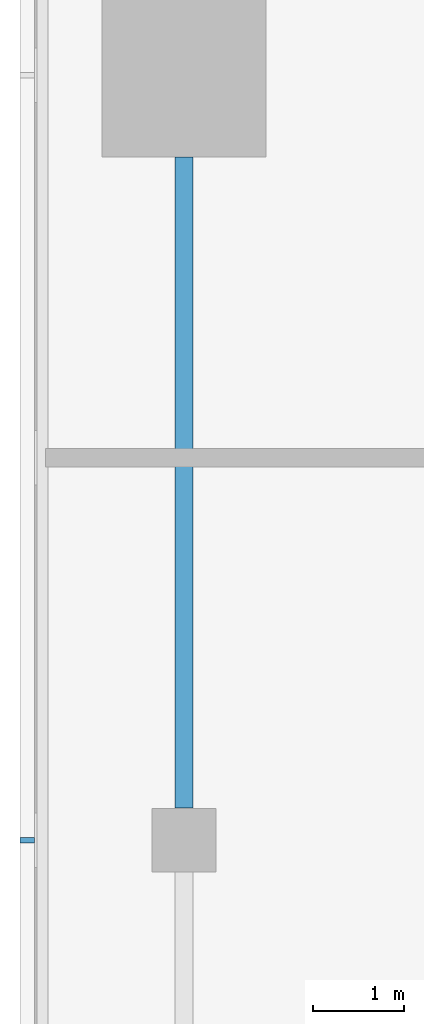
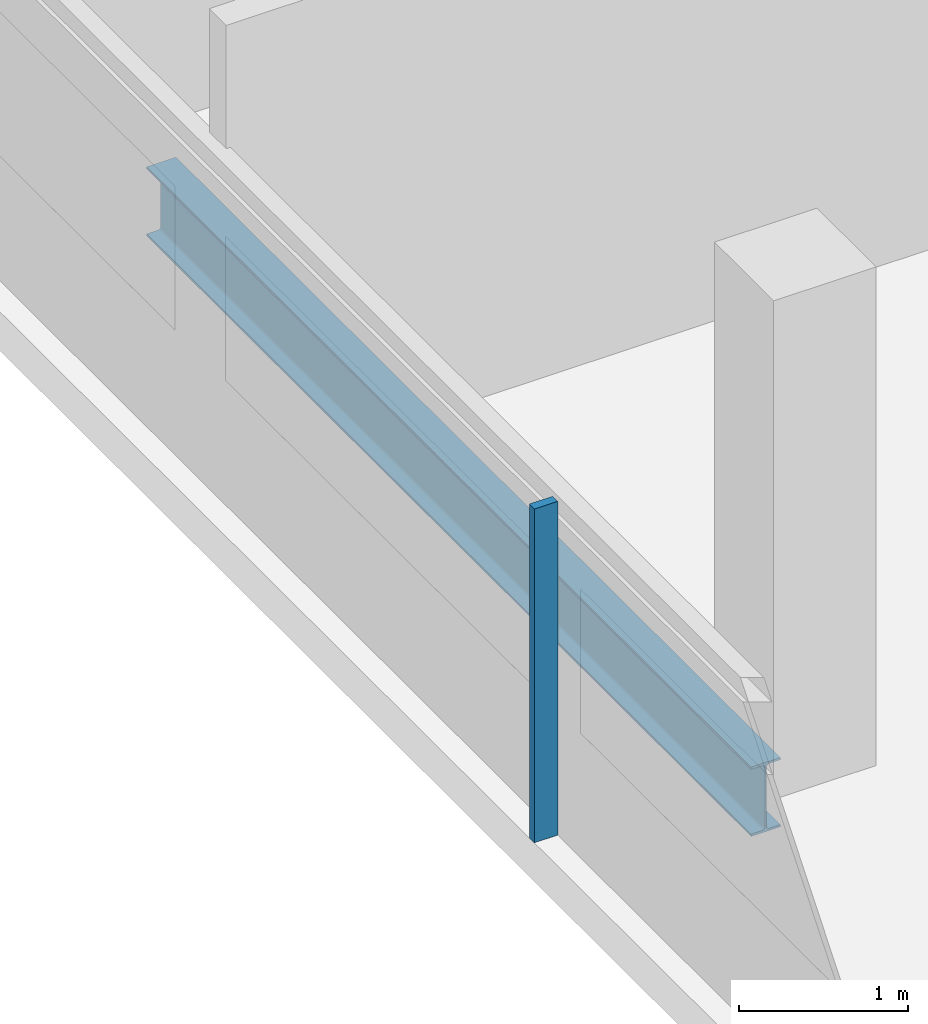
# One storey, part 6 of 24: 1 beam, 1 member, 1 element without a shape of its own.
"""IFC4 building model written with IfcOpenShell, lengths in metres."""

from ifc_helpers import new_model, si_unit, direction, frame, origin, origin_2d, place, context, subcontext, project, spatial, rectangle, i_section, extrude, material, material_profile, profile_set, type_object, element, aggregate, save


model = new_model("IFC4")

# Units and contexts
model_context = context("Model", 3, precision=1e-05, world=origin(), true_north=direction((0.0, 1.0)))
body_context = subcontext(model_context, "Body", "Model", "MODEL_VIEW")
ifc_project = project(units=[si_unit("LENGTHUNIT", "METRE"), si_unit("AREAUNIT", "SQUARE_METRE"), si_unit("VOLUMEUNIT", "CUBIC_METRE"), si_unit("PLANEANGLEUNIT", "RADIAN"), si_unit("MASSUNIT", "GRAM", prefix="KILO")], contexts=[model_context])

# Site, building, storey
site_placement = place(None, origin())
site = spatial("IfcSite", under=ifc_project, at=site_placement, CompositionType="ELEMENT")
building_placement = place(site_placement, origin())
building = spatial("IfcBuilding", under=site, at=building_placement, Name="Saffron Gate Tower", CompositionType="ELEMENT")
storey_placement = place(building_placement, frame((0.0, 0.0, 190.64990234375)))
storey = spatial("IfcBuildingStorey", under=building, at=storey_placement, Name="L47", CompositionType="ELEMENT", Elevation=190.64990234375)

# Beam
ifc_material_1 = material(Name="Structural steel S355", Category="steel")
ifc_material_profile_1 = material_profile(ifc_material_1, i_section(OverallWidth=0.199951171875, OverallDepth=0.5, WebThickness=0.01025390625, FlangeThickness=0.01611328125, FilletRadius=0.02099609375, at=origin_2d()))
ifc_profile_set_1 = profile_set([ifc_material_profile_1], Name="Structural steel S355")
beam_type = type_object("IfcBeamType", Name="B11 IPE 500", PredefinedType="SPANDREL", material=ifc_profile_set_1)
beam_placement = place(storey_placement, frame((49.800048828125, 57.35009765625, -0.52978515625), z_axis=(0.0, 1.0, 0.0), x_axis=(-1.0, 0.0, 0.0)))
element("IfcBeam", 1, at=beam_placement, inside=storey, type_object=beam_type, Name="B11 SPANDREL BEAM", PredefinedType="SPANDREL", context=body_context, shape_type="SweptSolid", body=[
    extrude(i_section(OverallWidth=0.199951171875, OverallDepth=0.5, WebThickness=0.01025390625, FlangeThickness=0.01611328125, FilletRadius=0.02099609375, at=origin_2d()), origin(), (0.0, 0.0, 1.0), 7.14990234375),
])

# Curtain wall, member
ifc_material_2 = material(Name="Aluminium, bronze anodised", Category="aluminium")
curtain_wall_type = type_object("IfcCurtainWallType", Name="CWS2 curtain wall side facades", PredefinedType="NOTDEFINED", material=ifc_material_2)
curtain_wall_placement = place(storey_placement, origin())
curtain_wall = element("IfcCurtainWall", 2, at=curtain_wall_placement, inside=storey, type_object=curtain_wall_type, Name="CWS2 run 10", PredefinedType="NOTDEFINED")
ifc_material_profile_2 = material_profile(ifc_material_2, rectangle(XDim=0.159912109375, YDim=0.06005859375, at=origin_2d()))
ifc_profile_set_2 = profile_set([ifc_material_profile_2], Name="Aluminium, bronze anodised")
member_type = type_object("IfcMemberType", Name="CWS2 mullion 60x160", PredefinedType="MULLION", material=ifc_profile_set_2)
member_placement = place(storey_placement, frame((48.080078125, 57.0, 0.0), z_axis=(0.0, 0.0, 1.0), x_axis=(1.0, 0.0, 0.0)))
member = element("IfcMember", 3, at=member_placement, type_object=member_type, Name="CWS2 mullion 3", PredefinedType="MULLION", context=body_context, shape_type="SweptSolid", body=[
    extrude(rectangle(XDim=0.159912109375, YDim=0.06005859375, at=origin_2d()), origin(), (0.0, 0.0, 1.0), 2.41015625),
])
aggregate(curtain_wall, [member])

save(model, "model.ifc")
